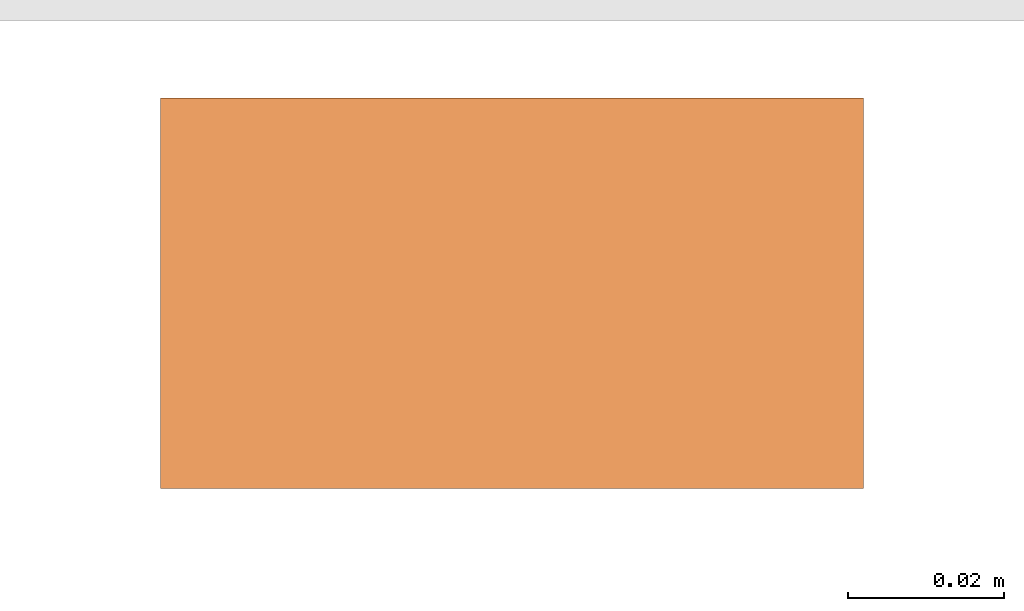
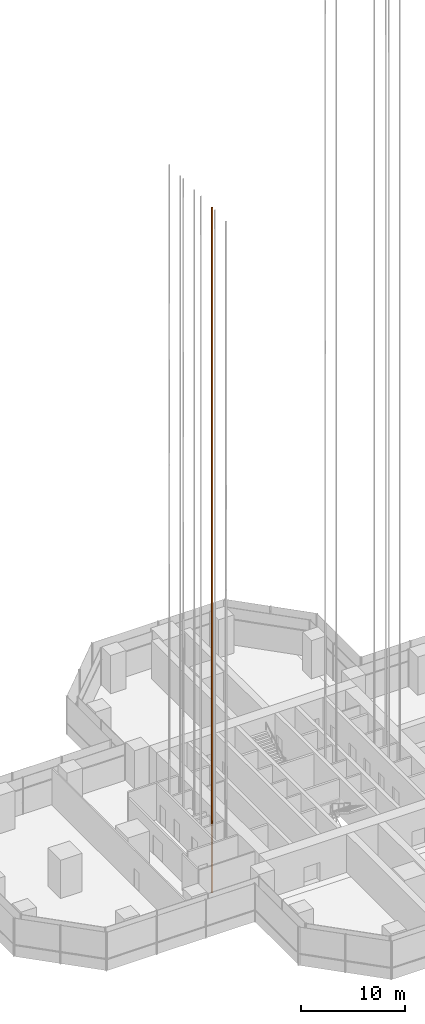
# One storey, part 23 of 34: 1 proxy.
"""IFC4 building model written with IfcOpenShell, lengths in metres."""

from ifc_helpers import new_model, si_unit, direction, frame, origin, origin_2d, place, context, subcontext, project, spatial, rectangle, extrude, material, element, save


model = new_model("IFC4")

# Units and contexts
model_context = context("Model", 3, precision=1e-05, world=origin(), true_north=direction((0.0, 1.0)))
body_context = subcontext(model_context, "Body", "Model", "MODEL_VIEW")
ifc_project = project(units=[si_unit("LENGTHUNIT", "METRE"), si_unit("AREAUNIT", "SQUARE_METRE"), si_unit("VOLUMEUNIT", "CUBIC_METRE"), si_unit("PLANEANGLEUNIT", "RADIAN"), si_unit("MASSUNIT", "GRAM", prefix="KILO")], contexts=[model_context])

# Site, building, storey
site_placement = place(None, origin())
site = spatial("IfcSite", under=ifc_project, at=site_placement, CompositionType="ELEMENT")
building_placement = place(site_placement, origin())
building = spatial("IfcBuilding", under=site, at=building_placement, Name="Mizan Broadcast Tower", CompositionType="ELEMENT")
storey_placement = place(building_placement, frame((0.0, 0.0, 194.39990234375)))
storey = spatial("IfcBuildingStorey", under=building, at=storey_placement, Name="L45", CompositionType="ELEMENT", Elevation=194.39990234375)

# Proxy
ifc_material = material(Name="Steel guide rail", Category="steel")
proxy_placement = place(storey_placement, frame((-12.27490234375, -2.784912109375, -3.89990234375), z_axis=(0.0, 0.0, 1.0), x_axis=(1.0, 0.0, 0.0)))
element("IfcBuildingElementProxy", 1, at=proxy_placement, inside=storey, material=ifc_material, Name="Guide rail LC3-1", PredefinedType="NOTDEFINED", context=body_context, shape_type="SweptSolid", body=[
    extrude(rectangle(XDim=0.090087890625, YDim=0.050048828125, at=origin_2d()), origin(), (0.0, 0.0, 1.0), 80.52001953125),
])

save(model, "model.ifc")
